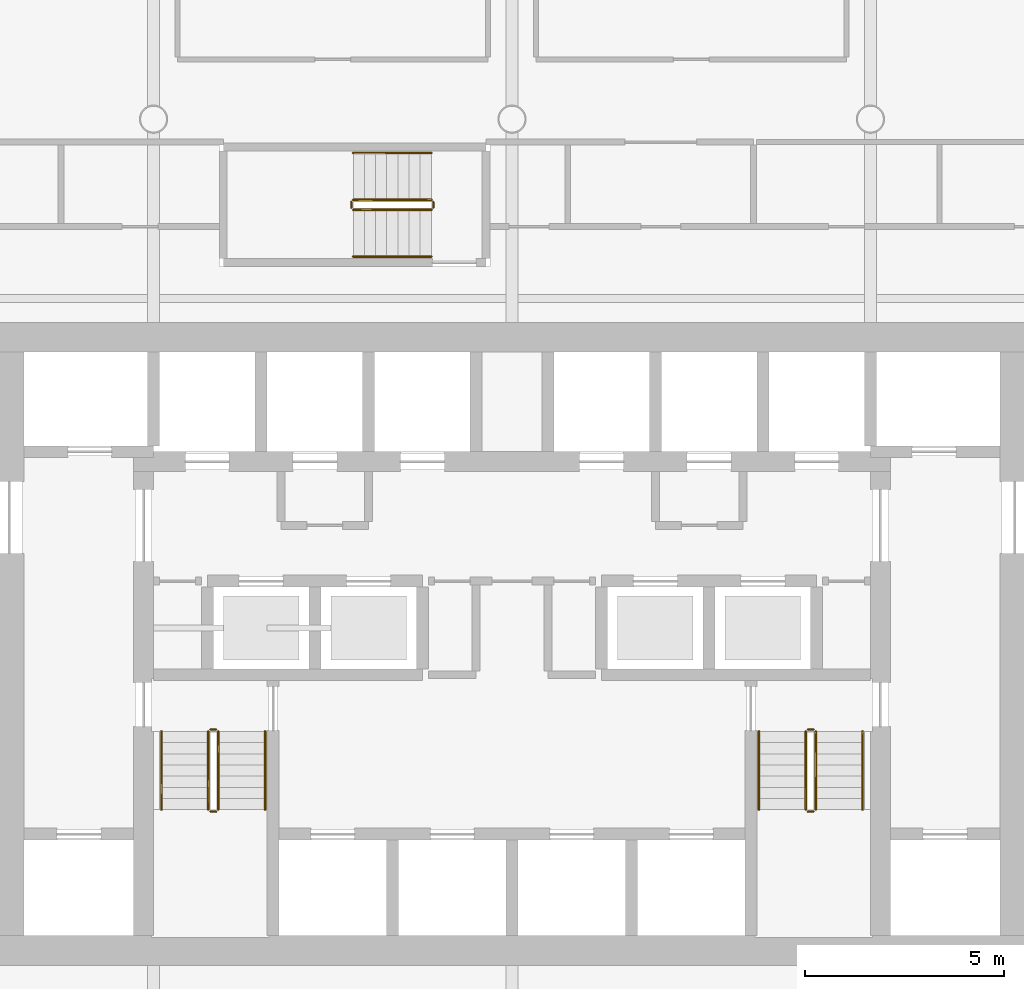
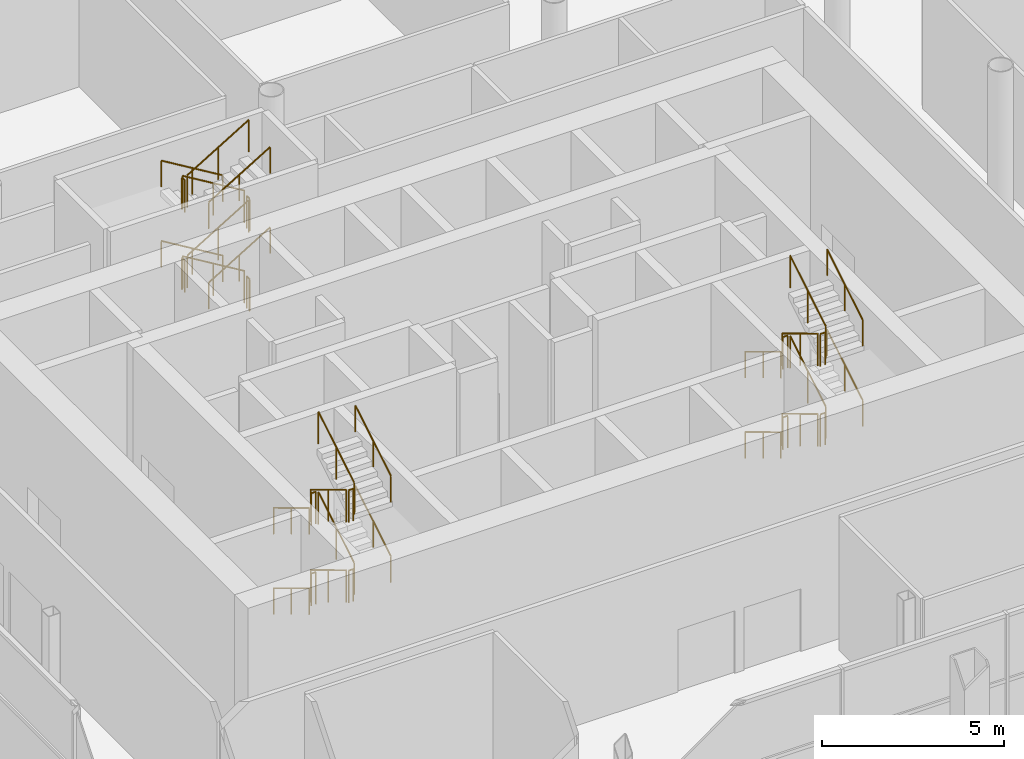
# One storey, part 11 of 12: 36 railings.
"""IFC4 building model written with IfcOpenShell, lengths in metres."""

from ifc_helpers import new_model, si_unit, direction, frame, origin, origin_2d, place, context, subcontext, project, spatial, circle, extrude, material, type_object, element, save


model = new_model("IFC4")

# Units and contexts
model_context = context("Model", 3, precision=1e-05, world=origin(), true_north=direction((0.0, 1.0)))
body_context = subcontext(model_context, "Body", "Model", "MODEL_VIEW")
ifc_project = project(units=[si_unit("LENGTHUNIT", "METRE"), si_unit("AREAUNIT", "SQUARE_METRE"), si_unit("VOLUMEUNIT", "CUBIC_METRE"), si_unit("PLANEANGLEUNIT", "RADIAN"), si_unit("MASSUNIT", "GRAM", prefix="KILO")], contexts=[model_context])

# Site, building, storey
site_placement = place(None, origin())
site = spatial("IfcSite", under=ifc_project, at=site_placement, CompositionType="ELEMENT")
building_placement = place(site_placement, origin())
building = spatial("IfcBuilding", under=site, at=building_placement, Name="Tskaro Facet Tower", CompositionType="ELEMENT")
storey_placement = place(building_placement, frame((0.0, 0.0, 162.300048828125)))
storey = spatial("IfcBuildingStorey", under=building, at=storey_placement, Name="L40", CompositionType="ELEMENT", Elevation=162.300048828125)

# Railings
ifc_material = material(Name="Stainless steel", Category="steel")
railing_type_1 = type_object("IfcRailingType", Name="RL-GUARD-1100", PredefinedType="GUARDRAIL", material=ifc_material)
railing_1_placement = place(storey_placement, frame((-7.625, -6.375, 0.168701171875)))
element("IfcRailing", 1, at=railing_1_placement, inside=storey, type_object=railing_type_1, Name="L40 ST-1 stair guard 1", PredefinedType="GUARDRAIL", context=body_context, shape_type="SweptSolid", body=[
    extrude(circle(Radius=0.02392578125, at=origin_2d()), frame((0.0, 0.0, 1.076171875), z_axis=(0.0, -0.856493463811, 0.516157869696), x_axis=(1.0, 0.0, 0.0)), (0.0, 0.0, 1.0), 2.288330078125),
    extrude(circle(Radius=0.02099609375, at=origin_2d()), origin(), (0.0, 0.0, 1.0), 1.052001953125),
    extrude(circle(Radius=0.02099609375, at=origin_2d()), frame((0.0, -0.97998046875, 0.590576171875)), (0.0, 0.0, 1.0), 1.052001953125),
    extrude(circle(Radius=0.02099609375, at=origin_2d()), frame((0.0, -1.9599609375, 1.18115234375)), (0.0, 0.0, 1.0), 1.052001953125),
])
railing_2_placement = place(storey_placement, frame((-7.574951171875, -8.385009765625, 1.349853515625)))
element("IfcRailing", 2, at=railing_2_placement, inside=storey, type_object=railing_type_1, Name="L40 ST-1 stair guard 2", PredefinedType="GUARDRAIL", context=body_context, shape_type="SweptSolid", body=[
    extrude(circle(Radius=0.02392578125, at=origin_2d()), frame((0.0, 0.0, 1.076171875), z_axis=(1.0, 0.0, 0.0), x_axis=(0.0, 1.0, 0.0)), (0.0, 0.0, 1.0), 0.14990234375),
    extrude(circle(Radius=0.02099609375, at=origin_2d()), origin(), (0.0, 0.0, 1.0), 1.052001953125),
    extrude(circle(Radius=0.02099609375, at=origin_2d()), frame((0.14990234375, 0.0, 0.0)), (0.0, 0.0, 1.0), 1.052001953125),
])
railing_3_placement = place(storey_placement, frame((-7.375, -8.3349609375, 1.518798828125)))
element("IfcRailing", 3, at=railing_3_placement, inside=storey, type_object=railing_type_1, Name="L40 ST-1 stair guard 3", PredefinedType="GUARDRAIL", context=body_context, shape_type="SweptSolid", body=[
    extrude(circle(Radius=0.02392578125, at=origin_2d()), frame((0.0, 0.0, 1.076171875), z_axis=(0.0, 0.856493463811, 0.516157869696), x_axis=(-1.0, 0.0, 0.0)), (0.0, 0.0, 1.0), 2.288330078125),
    extrude(circle(Radius=0.02099609375, at=origin_2d()), origin(), (0.0, 0.0, 1.0), 1.052001953125),
    extrude(circle(Radius=0.02099609375, at=origin_2d()), frame((0.0, 0.97998046875, 0.590576171875)), (0.0, 0.0, 1.0), 1.052001953125),
    extrude(circle(Radius=0.02099609375, at=origin_2d()), frame((0.0, 1.9599609375, 1.18115234375)), (0.0, 0.0, 1.0), 1.052001953125),
])
railing_4_placement = place(storey_placement, frame((-7.574951171875, -6.324951171875, 2.699951171875)))
element("IfcRailing", 4, at=railing_4_placement, inside=storey, type_object=railing_type_1, Name="L40 ST-1 stair guard 4", PredefinedType="GUARDRAIL", context=body_context, shape_type="SweptSolid", body=[
    extrude(circle(Radius=0.02392578125, at=origin_2d()), frame((0.0, 0.0, 1.076171875), z_axis=(1.0, 0.0, 0.0), x_axis=(0.0, 1.0, 0.0)), (0.0, 0.0, 1.0), 0.14990234375),
    extrude(circle(Radius=0.02099609375, at=origin_2d()), origin(), (0.0, 0.0, 1.0), 1.052001953125),
    extrude(circle(Radius=0.02099609375, at=origin_2d()), frame((0.14990234375, 0.0, 0.0)), (0.0, 0.0, 1.0), 1.052001953125),
])
railing_5_placement = place(storey_placement, frame((-7.625, -6.375, 2.86865234375)))
element("IfcRailing", 5, at=railing_5_placement, inside=storey, type_object=railing_type_1, Name="L40 ST-1 stair guard 5", PredefinedType="GUARDRAIL", context=body_context, shape_type="SweptSolid", body=[
    extrude(circle(Radius=0.02392578125, at=origin_2d()), frame((0.0, 0.0, 1.076171875), z_axis=(0.0, -0.856446297458, 0.516236127728), x_axis=(1.0, 0.0, 0.0)), (0.0, 0.0, 1.0), 2.28857421875),
    extrude(circle(Radius=0.02099609375, at=origin_2d()), origin(), (0.0, 0.0, 1.0), 1.052001953125),
    extrude(circle(Radius=0.02099609375, at=origin_2d()), frame((0.0, -0.97998046875, 0.5908203125)), (0.0, 0.0, 1.0), 1.052001953125),
    extrude(circle(Radius=0.02099609375, at=origin_2d()), frame((0.0, -1.9599609375, 1.181396484375)), (0.0, 0.0, 1.0), 1.052001953125),
])
railing_6_placement = place(storey_placement, frame((-7.574951171875, -8.385009765625, 4.050048828125)))
element("IfcRailing", 6, at=railing_6_placement, inside=storey, type_object=railing_type_1, Name="L40 ST-1 stair guard 6", PredefinedType="GUARDRAIL", context=body_context, shape_type="SweptSolid", body=[
    extrude(circle(Radius=0.02392578125, at=origin_2d()), frame((0.0, 0.0, 1.076171875), z_axis=(1.0, 0.0, 0.0), x_axis=(0.0, 1.0, 0.0)), (0.0, 0.0, 1.0), 0.14990234375),
    extrude(circle(Radius=0.02099609375, at=origin_2d()), origin(), (0.0, 0.0, 1.0), 1.052001953125),
    extrude(circle(Radius=0.02099609375, at=origin_2d()), frame((0.14990234375, 0.0, 0.0)), (0.0, 0.0, 1.0), 1.052001953125),
])
railing_7_placement = place(storey_placement, frame((-7.375, -8.3349609375, 4.21875)))
element("IfcRailing", 7, at=railing_7_placement, inside=storey, type_object=railing_type_1, Name="L40 ST-1 stair guard 7", PredefinedType="GUARDRAIL", context=body_context, shape_type="SweptSolid", body=[
    extrude(circle(Radius=0.02392578125, at=origin_2d()), frame((0.0, 0.0, 1.076171875), z_axis=(0.0, 0.856493463811, 0.516157869696), x_axis=(-1.0, 0.0, 0.0)), (0.0, 0.0, 1.0), 2.288330078125),
    extrude(circle(Radius=0.02099609375, at=origin_2d()), origin(), (0.0, 0.0, 1.0), 1.052001953125),
    extrude(circle(Radius=0.02099609375, at=origin_2d()), frame((0.0, 0.97998046875, 0.590576171875)), (0.0, 0.0, 1.0), 1.052001953125),
    extrude(circle(Radius=0.02099609375, at=origin_2d()), frame((0.0, 1.9599609375, 1.18115234375)), (0.0, 0.0, 1.0), 1.052001953125),
])
railing_8_placement = place(storey_placement, frame((-7.574951171875, -6.324951171875, 0.0)))
element("IfcRailing", 8, at=railing_8_placement, inside=storey, type_object=railing_type_1, Name="L40 ST-1 stair guard 8", PredefinedType="GUARDRAIL", context=body_context, shape_type="SweptSolid", body=[
    extrude(circle(Radius=0.02392578125, at=origin_2d()), frame((0.0, 0.0, 1.076171875), z_axis=(1.0, 0.0, 0.0), x_axis=(0.0, 1.0, 0.0)), (0.0, 0.0, 1.0), 0.14990234375),
    extrude(circle(Radius=0.02099609375, at=origin_2d()), origin(), (0.0, 0.0, 1.0), 1.052001953125),
    extrude(circle(Radius=0.02099609375, at=origin_2d()), frame((0.14990234375, 0.0, 0.0)), (0.0, 0.0, 1.0), 1.052001953125),
])
railing_9_placement = place(storey_placement, frame((7.375, -6.375, 0.168701171875)))
element("IfcRailing", 9, at=railing_9_placement, inside=storey, type_object=railing_type_1, Name="L40 ST-2 stair guard 1", PredefinedType="GUARDRAIL", context=body_context, shape_type="SweptSolid", body=[
    extrude(circle(Radius=0.02392578125, at=origin_2d()), frame((0.0, 0.0, 1.076171875), z_axis=(0.0, -0.856493463811, 0.516157869696), x_axis=(1.0, 0.0, 0.0)), (0.0, 0.0, 1.0), 2.288330078125),
    extrude(circle(Radius=0.02099609375, at=origin_2d()), origin(), (0.0, 0.0, 1.0), 1.052001953125),
    extrude(circle(Radius=0.02099609375, at=origin_2d()), frame((0.0, -0.97998046875, 0.590576171875)), (0.0, 0.0, 1.0), 1.052001953125),
    extrude(circle(Radius=0.02099609375, at=origin_2d()), frame((0.0, -1.9599609375, 1.18115234375)), (0.0, 0.0, 1.0), 1.052001953125),
])
railing_10_placement = place(storey_placement, frame((7.425048828125, -8.385009765625, 1.349853515625)))
element("IfcRailing", 10, at=railing_10_placement, inside=storey, type_object=railing_type_1, Name="L40 ST-2 stair guard 2", PredefinedType="GUARDRAIL", context=body_context, shape_type="SweptSolid", body=[
    extrude(circle(Radius=0.02392578125, at=origin_2d()), frame((0.0, 0.0, 1.076171875), z_axis=(1.0, 0.0, 0.0), x_axis=(0.0, 1.0, 0.0)), (0.0, 0.0, 1.0), 0.14990234375),
    extrude(circle(Radius=0.02099609375, at=origin_2d()), origin(), (0.0, 0.0, 1.0), 1.052001953125),
    extrude(circle(Radius=0.02099609375, at=origin_2d()), frame((0.14990234375, 0.0, 0.0)), (0.0, 0.0, 1.0), 1.052001953125),
])
railing_11_placement = place(storey_placement, frame((7.625, -8.3349609375, 1.518798828125)))
element("IfcRailing", 11, at=railing_11_placement, inside=storey, type_object=railing_type_1, Name="L40 ST-2 stair guard 3", PredefinedType="GUARDRAIL", context=body_context, shape_type="SweptSolid", body=[
    extrude(circle(Radius=0.02392578125, at=origin_2d()), frame((0.0, 0.0, 1.076171875), z_axis=(0.0, 0.856493463811, 0.516157869696), x_axis=(-1.0, 0.0, 0.0)), (0.0, 0.0, 1.0), 2.288330078125),
    extrude(circle(Radius=0.02099609375, at=origin_2d()), origin(), (0.0, 0.0, 1.0), 1.052001953125),
    extrude(circle(Radius=0.02099609375, at=origin_2d()), frame((0.0, 0.97998046875, 0.590576171875)), (0.0, 0.0, 1.0), 1.052001953125),
    extrude(circle(Radius=0.02099609375, at=origin_2d()), frame((0.0, 1.9599609375, 1.18115234375)), (0.0, 0.0, 1.0), 1.052001953125),
])
railing_12_placement = place(storey_placement, frame((7.425048828125, -6.324951171875, 2.699951171875)))
element("IfcRailing", 12, at=railing_12_placement, inside=storey, type_object=railing_type_1, Name="L40 ST-2 stair guard 4", PredefinedType="GUARDRAIL", context=body_context, shape_type="SweptSolid", body=[
    extrude(circle(Radius=0.02392578125, at=origin_2d()), frame((0.0, 0.0, 1.076171875), z_axis=(1.0, 0.0, 0.0), x_axis=(0.0, 1.0, 0.0)), (0.0, 0.0, 1.0), 0.14990234375),
    extrude(circle(Radius=0.02099609375, at=origin_2d()), origin(), (0.0, 0.0, 1.0), 1.052001953125),
    extrude(circle(Radius=0.02099609375, at=origin_2d()), frame((0.14990234375, 0.0, 0.0)), (0.0, 0.0, 1.0), 1.052001953125),
])
railing_13_placement = place(storey_placement, frame((7.375, -6.375, 2.86865234375)))
element("IfcRailing", 13, at=railing_13_placement, inside=storey, type_object=railing_type_1, Name="L40 ST-2 stair guard 5", PredefinedType="GUARDRAIL", context=body_context, shape_type="SweptSolid", body=[
    extrude(circle(Radius=0.02392578125, at=origin_2d()), frame((0.0, 0.0, 1.076171875), z_axis=(0.0, -0.856446297458, 0.516236127728), x_axis=(1.0, 0.0, 0.0)), (0.0, 0.0, 1.0), 2.28857421875),
    extrude(circle(Radius=0.02099609375, at=origin_2d()), origin(), (0.0, 0.0, 1.0), 1.052001953125),
    extrude(circle(Radius=0.02099609375, at=origin_2d()), frame((0.0, -0.97998046875, 0.5908203125)), (0.0, 0.0, 1.0), 1.052001953125),
    extrude(circle(Radius=0.02099609375, at=origin_2d()), frame((0.0, -1.9599609375, 1.181396484375)), (0.0, 0.0, 1.0), 1.052001953125),
])
railing_14_placement = place(storey_placement, frame((7.425048828125, -8.385009765625, 4.050048828125)))
element("IfcRailing", 14, at=railing_14_placement, inside=storey, type_object=railing_type_1, Name="L40 ST-2 stair guard 6", PredefinedType="GUARDRAIL", context=body_context, shape_type="SweptSolid", body=[
    extrude(circle(Radius=0.02392578125, at=origin_2d()), frame((0.0, 0.0, 1.076171875), z_axis=(1.0, 0.0, 0.0), x_axis=(0.0, 1.0, 0.0)), (0.0, 0.0, 1.0), 0.14990234375),
    extrude(circle(Radius=0.02099609375, at=origin_2d()), origin(), (0.0, 0.0, 1.0), 1.052001953125),
    extrude(circle(Radius=0.02099609375, at=origin_2d()), frame((0.14990234375, 0.0, 0.0)), (0.0, 0.0, 1.0), 1.052001953125),
])
railing_15_placement = place(storey_placement, frame((7.625, -8.3349609375, 4.21875)))
element("IfcRailing", 15, at=railing_15_placement, inside=storey, type_object=railing_type_1, Name="L40 ST-2 stair guard 7", PredefinedType="GUARDRAIL", context=body_context, shape_type="SweptSolid", body=[
    extrude(circle(Radius=0.02392578125, at=origin_2d()), frame((0.0, 0.0, 1.076171875), z_axis=(0.0, 0.856493463811, 0.516157869696), x_axis=(-1.0, 0.0, 0.0)), (0.0, 0.0, 1.0), 2.288330078125),
    extrude(circle(Radius=0.02099609375, at=origin_2d()), origin(), (0.0, 0.0, 1.0), 1.052001953125),
    extrude(circle(Radius=0.02099609375, at=origin_2d()), frame((0.0, 0.97998046875, 0.590576171875)), (0.0, 0.0, 1.0), 1.052001953125),
    extrude(circle(Radius=0.02099609375, at=origin_2d()), frame((0.0, 1.9599609375, 1.18115234375)), (0.0, 0.0, 1.0), 1.052001953125),
])
railing_16_placement = place(storey_placement, frame((7.425048828125, -6.324951171875, 0.0)))
element("IfcRailing", 16, at=railing_16_placement, inside=storey, type_object=railing_type_1, Name="L40 ST-2 stair guard 8", PredefinedType="GUARDRAIL", context=body_context, shape_type="SweptSolid", body=[
    extrude(circle(Radius=0.02392578125, at=origin_2d()), frame((0.0, 0.0, 1.076171875), z_axis=(1.0, 0.0, 0.0), x_axis=(0.0, 1.0, 0.0)), (0.0, 0.0, 1.0), 0.14990234375),
    extrude(circle(Radius=0.02099609375, at=origin_2d()), origin(), (0.0, 0.0, 1.0), 1.052001953125),
    extrude(circle(Radius=0.02099609375, at=origin_2d()), frame((0.14990234375, 0.0, 0.0)), (0.0, 0.0, 1.0), 1.052001953125),
])
railing_17_placement = place(storey_placement, frame((-2.02490234375, 6.97509765625, 0.168701171875)))
element("IfcRailing", 17, at=railing_17_placement, inside=storey, type_object=railing_type_1, Name="L40 ST-3 stair guard 1", PredefinedType="GUARDRAIL", context=body_context, shape_type="SweptSolid", body=[
    extrude(circle(Radius=0.02392578125, at=origin_2d()), frame((0.0, 0.0, 1.076171875), z_axis=(-0.856521883693, 0.0, 0.516110707847), x_axis=(0.0, -1.0, 0.0)), (0.0, 0.0, 1.0), 2.28857421875),
    extrude(circle(Radius=0.02099609375, at=origin_2d()), origin(), (0.0, 0.0, 1.0), 1.052001953125),
    extrude(circle(Radius=0.02099609375, at=origin_2d()), frame((-0.97998046875, 0.0, 0.590576171875)), (0.0, 0.0, 1.0), 1.052001953125),
    extrude(circle(Radius=0.02099609375, at=origin_2d()), frame((-1.960205078125, 0.0, 1.18115234375)), (0.0, 0.0, 1.0), 1.052001953125),
])
railing_18_placement = place(storey_placement, frame((-4.034912109375, 6.925048828125, 1.349853515625)))
element("IfcRailing", 18, at=railing_18_placement, inside=storey, type_object=railing_type_1, Name="L40 ST-3 stair guard 2", PredefinedType="GUARDRAIL", context=body_context, shape_type="SweptSolid", body=[
    extrude(circle(Radius=0.02392578125, at=origin_2d()), frame((0.0, 0.0, 1.076171875), z_axis=(0.0, -1.0, 0.0), x_axis=(1.0, 0.0, 0.0)), (0.0, 0.0, 1.0), 0.150146484375),
    extrude(circle(Radius=0.02099609375, at=origin_2d()), origin(), (0.0, 0.0, 1.0), 1.052001953125),
    extrude(circle(Radius=0.02099609375, at=origin_2d()), frame((0.0, -0.150146484375, 0.0)), (0.0, 0.0, 1.0), 1.052001953125),
])
railing_19_placement = place(storey_placement, frame((-3.985107421875, 6.72509765625, 1.518798828125)))
element("IfcRailing", 19, at=railing_19_placement, inside=storey, type_object=railing_type_1, Name="L40 ST-3 stair guard 3", PredefinedType="GUARDRAIL", context=body_context, shape_type="SweptSolid", body=[
    extrude(circle(Radius=0.02392578125, at=origin_2d()), frame((0.0, 0.0, 1.076171875), z_axis=(0.856521883693, 0.0, 0.516110707847), x_axis=(0.0, 1.0, 0.0)), (0.0, 0.0, 1.0), 2.28857421875),
    extrude(circle(Radius=0.02099609375, at=origin_2d()), origin(), (0.0, 0.0, 1.0), 1.052001953125),
    extrude(circle(Radius=0.02099609375, at=origin_2d()), frame((0.97998046875, 0.0, 0.590576171875)), (0.0, 0.0, 1.0), 1.052001953125),
    extrude(circle(Radius=0.02099609375, at=origin_2d()), frame((1.960205078125, 0.0, 1.18115234375)), (0.0, 0.0, 1.0), 1.052001953125),
])
railing_20_placement = place(storey_placement, frame((-1.97509765625, 6.925048828125, 2.699951171875)))
element("IfcRailing", 20, at=railing_20_placement, inside=storey, type_object=railing_type_1, Name="L40 ST-3 stair guard 4", PredefinedType="GUARDRAIL", context=body_context, shape_type="SweptSolid", body=[
    extrude(circle(Radius=0.02392578125, at=origin_2d()), frame((0.0, 0.0, 1.076171875), z_axis=(0.0, -1.0, 0.0), x_axis=(1.0, 0.0, 0.0)), (0.0, 0.0, 1.0), 0.150146484375),
    extrude(circle(Radius=0.02099609375, at=origin_2d()), origin(), (0.0, 0.0, 1.0), 1.052001953125),
    extrude(circle(Radius=0.02099609375, at=origin_2d()), frame((0.0, -0.150146484375, 0.0)), (0.0, 0.0, 1.0), 1.052001953125),
])
railing_21_placement = place(storey_placement, frame((-2.02490234375, 6.97509765625, 2.86865234375)))
element("IfcRailing", 21, at=railing_21_placement, inside=storey, type_object=railing_type_1, Name="L40 ST-3 stair guard 5", PredefinedType="GUARDRAIL", context=body_context, shape_type="SweptSolid", body=[
    extrude(circle(Radius=0.02392578125, at=origin_2d()), frame((0.0, 0.0, 1.076171875), z_axis=(-0.856474724393, 0.0, 0.516188963923), x_axis=(0.0, -1.0, 0.0)), (0.0, 0.0, 1.0), 2.28857421875),
    extrude(circle(Radius=0.02099609375, at=origin_2d()), origin(), (0.0, 0.0, 1.0), 1.052001953125),
    extrude(circle(Radius=0.02099609375, at=origin_2d()), frame((-0.97998046875, 0.0, 0.5908203125)), (0.0, 0.0, 1.0), 1.052001953125),
    extrude(circle(Radius=0.02099609375, at=origin_2d()), frame((-1.960205078125, 0.0, 1.181396484375)), (0.0, 0.0, 1.0), 1.052001953125),
])
railing_22_placement = place(storey_placement, frame((-4.034912109375, 6.925048828125, 4.050048828125)))
element("IfcRailing", 22, at=railing_22_placement, inside=storey, type_object=railing_type_1, Name="L40 ST-3 stair guard 6", PredefinedType="GUARDRAIL", context=body_context, shape_type="SweptSolid", body=[
    extrude(circle(Radius=0.02392578125, at=origin_2d()), frame((0.0, 0.0, 1.076171875), z_axis=(0.0, -1.0, 0.0), x_axis=(1.0, 0.0, 0.0)), (0.0, 0.0, 1.0), 0.150146484375),
    extrude(circle(Radius=0.02099609375, at=origin_2d()), origin(), (0.0, 0.0, 1.0), 1.052001953125),
    extrude(circle(Radius=0.02099609375, at=origin_2d()), frame((0.0, -0.150146484375, 0.0)), (0.0, 0.0, 1.0), 1.052001953125),
])
railing_23_placement = place(storey_placement, frame((-3.985107421875, 6.72509765625, 4.21875)))
element("IfcRailing", 23, at=railing_23_placement, inside=storey, type_object=railing_type_1, Name="L40 ST-3 stair guard 7", PredefinedType="GUARDRAIL", context=body_context, shape_type="SweptSolid", body=[
    extrude(circle(Radius=0.02392578125, at=origin_2d()), frame((0.0, 0.0, 1.076171875), z_axis=(0.856521883693, 0.0, 0.516110707847), x_axis=(0.0, 1.0, 0.0)), (0.0, 0.0, 1.0), 2.28857421875),
    extrude(circle(Radius=0.02099609375, at=origin_2d()), origin(), (0.0, 0.0, 1.0), 1.052001953125),
    extrude(circle(Radius=0.02099609375, at=origin_2d()), frame((0.97998046875, 0.0, 0.590576171875)), (0.0, 0.0, 1.0), 1.052001953125),
    extrude(circle(Radius=0.02099609375, at=origin_2d()), frame((1.960205078125, 0.0, 1.18115234375)), (0.0, 0.0, 1.0), 1.052001953125),
])
railing_24_placement = place(storey_placement, frame((-1.97509765625, 6.925048828125, 0.0)))
element("IfcRailing", 24, at=railing_24_placement, inside=storey, type_object=railing_type_1, Name="L40 ST-3 stair guard 8", PredefinedType="GUARDRAIL", context=body_context, shape_type="SweptSolid", body=[
    extrude(circle(Radius=0.02392578125, at=origin_2d()), frame((0.0, 0.0, 1.076171875), z_axis=(0.0, -1.0, 0.0), x_axis=(1.0, 0.0, 0.0)), (0.0, 0.0, 1.0), 0.150146484375),
    extrude(circle(Radius=0.02099609375, at=origin_2d()), origin(), (0.0, 0.0, 1.0), 1.052001953125),
    extrude(circle(Radius=0.02099609375, at=origin_2d()), frame((0.0, -0.150146484375, 0.0)), (0.0, 0.0, 1.0), 1.052001953125),
])
railing_type_2 = type_object("IfcRailingType", Name="RL-HANDRAIL-900", PredefinedType="HANDRAIL", material=ifc_material)
railing_25_placement = place(storey_placement, frame((-8.800048828125, -6.375, 0.168701171875)))
element("IfcRailing", 25, at=railing_25_placement, inside=storey, type_object=railing_type_2, Name="L40 ST-1 stair handrail 1", PredefinedType="HANDRAIL", context=body_context, shape_type="SweptSolid", body=[
    extrude(circle(Radius=0.02392578125, at=origin_2d()), frame((0.0, 0.0, 0.8759765625), z_axis=(0.0, -0.856493463811, 0.516157869696), x_axis=(1.0, 0.0, 0.0)), (0.0, 0.0, 1.0), 2.288330078125),
    extrude(circle(Radius=0.02099609375, at=origin_2d()), origin(), (0.0, 0.0, 1.0), 0.851806640625),
    extrude(circle(Radius=0.02099609375, at=origin_2d()), frame((0.0, -0.97998046875, 0.590576171875)), (0.0, 0.0, 1.0), 0.851806640625),
    extrude(circle(Radius=0.02099609375, at=origin_2d()), frame((0.0, -1.9599609375, 1.18115234375)), (0.0, 0.0, 1.0), 0.851806640625),
])
railing_26_placement = place(storey_placement, frame((-6.199951171875, -8.3349609375, 1.518798828125)))
element("IfcRailing", 26, at=railing_26_placement, inside=storey, type_object=railing_type_2, Name="L40 ST-1 stair handrail 2", PredefinedType="HANDRAIL", context=body_context, shape_type="SweptSolid", body=[
    extrude(circle(Radius=0.02392578125, at=origin_2d()), frame((0.0, 0.0, 0.8759765625), z_axis=(0.0, 0.856493463811, 0.516157869696), x_axis=(-1.0, 0.0, 0.0)), (0.0, 0.0, 1.0), 2.288330078125),
    extrude(circle(Radius=0.02099609375, at=origin_2d()), origin(), (0.0, 0.0, 1.0), 0.851806640625),
    extrude(circle(Radius=0.02099609375, at=origin_2d()), frame((0.0, 0.97998046875, 0.590576171875)), (0.0, 0.0, 1.0), 0.851806640625),
    extrude(circle(Radius=0.02099609375, at=origin_2d()), frame((0.0, 1.9599609375, 1.18115234375)), (0.0, 0.0, 1.0), 0.851806640625),
])
railing_27_placement = place(storey_placement, frame((-8.800048828125, -6.375, 2.86865234375)))
element("IfcRailing", 27, at=railing_27_placement, inside=storey, type_object=railing_type_2, Name="L40 ST-1 stair handrail 3", PredefinedType="HANDRAIL", context=body_context, shape_type="SweptSolid", body=[
    extrude(circle(Radius=0.02392578125, at=origin_2d()), frame((0.0, 0.0, 0.8759765625), z_axis=(0.0, -0.856446297458, 0.516236127728), x_axis=(1.0, 0.0, 0.0)), (0.0, 0.0, 1.0), 2.28857421875),
    extrude(circle(Radius=0.02099609375, at=origin_2d()), origin(), (0.0, 0.0, 1.0), 0.851806640625),
    extrude(circle(Radius=0.02099609375, at=origin_2d()), frame((0.0, -0.97998046875, 0.5908203125)), (0.0, 0.0, 1.0), 0.851806640625),
    extrude(circle(Radius=0.02099609375, at=origin_2d()), frame((0.0, -1.9599609375, 1.181396484375)), (0.0, 0.0, 1.0), 0.851806640625),
])
railing_28_placement = place(storey_placement, frame((-6.199951171875, -8.3349609375, 4.21875)))
element("IfcRailing", 28, at=railing_28_placement, inside=storey, type_object=railing_type_2, Name="L40 ST-1 stair handrail 4", PredefinedType="HANDRAIL", context=body_context, shape_type="SweptSolid", body=[
    extrude(circle(Radius=0.02392578125, at=origin_2d()), frame((0.0, 0.0, 0.8759765625), z_axis=(0.0, 0.856493463811, 0.516157869696), x_axis=(-1.0, 0.0, 0.0)), (0.0, 0.0, 1.0), 2.288330078125),
    extrude(circle(Radius=0.02099609375, at=origin_2d()), origin(), (0.0, 0.0, 1.0), 0.851806640625),
    extrude(circle(Radius=0.02099609375, at=origin_2d()), frame((0.0, 0.97998046875, 0.590576171875)), (0.0, 0.0, 1.0), 0.851806640625),
    extrude(circle(Radius=0.02099609375, at=origin_2d()), frame((0.0, 1.9599609375, 1.18115234375)), (0.0, 0.0, 1.0), 0.851806640625),
])
railing_29_placement = place(storey_placement, frame((6.199951171875, -6.375, 0.168701171875)))
element("IfcRailing", 29, at=railing_29_placement, inside=storey, type_object=railing_type_2, Name="L40 ST-2 stair handrail 1", PredefinedType="HANDRAIL", context=body_context, shape_type="SweptSolid", body=[
    extrude(circle(Radius=0.02392578125, at=origin_2d()), frame((0.0, 0.0, 0.8759765625), z_axis=(0.0, -0.856493463811, 0.516157869696), x_axis=(1.0, 0.0, 0.0)), (0.0, 0.0, 1.0), 2.288330078125),
    extrude(circle(Radius=0.02099609375, at=origin_2d()), origin(), (0.0, 0.0, 1.0), 0.851806640625),
    extrude(circle(Radius=0.02099609375, at=origin_2d()), frame((0.0, -0.97998046875, 0.590576171875)), (0.0, 0.0, 1.0), 0.851806640625),
    extrude(circle(Radius=0.02099609375, at=origin_2d()), frame((0.0, -1.9599609375, 1.18115234375)), (0.0, 0.0, 1.0), 0.851806640625),
])
railing_30_placement = place(storey_placement, frame((8.800048828125, -8.3349609375, 1.518798828125)))
element("IfcRailing", 30, at=railing_30_placement, inside=storey, type_object=railing_type_2, Name="L40 ST-2 stair handrail 2", PredefinedType="HANDRAIL", context=body_context, shape_type="SweptSolid", body=[
    extrude(circle(Radius=0.02392578125, at=origin_2d()), frame((0.0, 0.0, 0.8759765625), z_axis=(0.0, 0.856493463811, 0.516157869696), x_axis=(-1.0, 0.0, 0.0)), (0.0, 0.0, 1.0), 2.288330078125),
    extrude(circle(Radius=0.02099609375, at=origin_2d()), origin(), (0.0, 0.0, 1.0), 0.851806640625),
    extrude(circle(Radius=0.02099609375, at=origin_2d()), frame((0.0, 0.97998046875, 0.590576171875)), (0.0, 0.0, 1.0), 0.851806640625),
    extrude(circle(Radius=0.02099609375, at=origin_2d()), frame((0.0, 1.9599609375, 1.18115234375)), (0.0, 0.0, 1.0), 0.851806640625),
])
railing_31_placement = place(storey_placement, frame((6.199951171875, -6.375, 2.86865234375)))
element("IfcRailing", 31, at=railing_31_placement, inside=storey, type_object=railing_type_2, Name="L40 ST-2 stair handrail 3", PredefinedType="HANDRAIL", context=body_context, shape_type="SweptSolid", body=[
    extrude(circle(Radius=0.02392578125, at=origin_2d()), frame((0.0, 0.0, 0.8759765625), z_axis=(0.0, -0.856446297458, 0.516236127728), x_axis=(1.0, 0.0, 0.0)), (0.0, 0.0, 1.0), 2.28857421875),
    extrude(circle(Radius=0.02099609375, at=origin_2d()), origin(), (0.0, 0.0, 1.0), 0.851806640625),
    extrude(circle(Radius=0.02099609375, at=origin_2d()), frame((0.0, -0.97998046875, 0.5908203125)), (0.0, 0.0, 1.0), 0.851806640625),
    extrude(circle(Radius=0.02099609375, at=origin_2d()), frame((0.0, -1.9599609375, 1.181396484375)), (0.0, 0.0, 1.0), 0.851806640625),
])
railing_32_placement = place(storey_placement, frame((8.800048828125, -8.3349609375, 4.21875)))
element("IfcRailing", 32, at=railing_32_placement, inside=storey, type_object=railing_type_2, Name="L40 ST-2 stair handrail 4", PredefinedType="HANDRAIL", context=body_context, shape_type="SweptSolid", body=[
    extrude(circle(Radius=0.02392578125, at=origin_2d()), frame((0.0, 0.0, 0.8759765625), z_axis=(0.0, 0.856493463811, 0.516157869696), x_axis=(-1.0, 0.0, 0.0)), (0.0, 0.0, 1.0), 2.288330078125),
    extrude(circle(Radius=0.02099609375, at=origin_2d()), origin(), (0.0, 0.0, 1.0), 0.851806640625),
    extrude(circle(Radius=0.02099609375, at=origin_2d()), frame((0.0, 0.97998046875, 0.590576171875)), (0.0, 0.0, 1.0), 0.851806640625),
    extrude(circle(Radius=0.02099609375, at=origin_2d()), frame((0.0, 1.9599609375, 1.18115234375)), (0.0, 0.0, 1.0), 0.851806640625),
])
railing_33_placement = place(storey_placement, frame((-2.02490234375, 8.14990234375, 0.168701171875)))
element("IfcRailing", 33, at=railing_33_placement, inside=storey, type_object=railing_type_2, Name="L40 ST-3 stair handrail 1", PredefinedType="HANDRAIL", context=body_context, shape_type="SweptSolid", body=[
    extrude(circle(Radius=0.02392578125, at=origin_2d()), frame((0.0, 0.0, 0.8759765625), z_axis=(-0.856521883693, 0.0, 0.516110707847), x_axis=(0.0, -1.0, 0.0)), (0.0, 0.0, 1.0), 2.28857421875),
    extrude(circle(Radius=0.02099609375, at=origin_2d()), origin(), (0.0, 0.0, 1.0), 0.851806640625),
    extrude(circle(Radius=0.02099609375, at=origin_2d()), frame((-0.97998046875, 0.0, 0.590576171875)), (0.0, 0.0, 1.0), 0.851806640625),
    extrude(circle(Radius=0.02099609375, at=origin_2d()), frame((-1.960205078125, 0.0, 1.18115234375)), (0.0, 0.0, 1.0), 0.851806640625),
])
railing_34_placement = place(storey_placement, frame((-3.985107421875, 5.550048828125, 1.518798828125)))
element("IfcRailing", 34, at=railing_34_placement, inside=storey, type_object=railing_type_2, Name="L40 ST-3 stair handrail 2", PredefinedType="HANDRAIL", context=body_context, shape_type="SweptSolid", body=[
    extrude(circle(Radius=0.02392578125, at=origin_2d()), frame((0.0, 0.0, 0.8759765625), z_axis=(0.856521883693, 0.0, 0.516110707847), x_axis=(0.0, 1.0, 0.0)), (0.0, 0.0, 1.0), 2.28857421875),
    extrude(circle(Radius=0.02099609375, at=origin_2d()), origin(), (0.0, 0.0, 1.0), 0.851806640625),
    extrude(circle(Radius=0.02099609375, at=origin_2d()), frame((0.97998046875, 0.0, 0.590576171875)), (0.0, 0.0, 1.0), 0.851806640625),
    extrude(circle(Radius=0.02099609375, at=origin_2d()), frame((1.960205078125, 0.0, 1.18115234375)), (0.0, 0.0, 1.0), 0.851806640625),
])
railing_35_placement = place(storey_placement, frame((-2.02490234375, 8.14990234375, 2.86865234375)))
element("IfcRailing", 35, at=railing_35_placement, inside=storey, type_object=railing_type_2, Name="L40 ST-3 stair handrail 3", PredefinedType="HANDRAIL", context=body_context, shape_type="SweptSolid", body=[
    extrude(circle(Radius=0.02392578125, at=origin_2d()), frame((0.0, 0.0, 0.8759765625), z_axis=(-0.856474724393, 0.0, 0.516188963923), x_axis=(0.0, -1.0, 0.0)), (0.0, 0.0, 1.0), 2.28857421875),
    extrude(circle(Radius=0.02099609375, at=origin_2d()), origin(), (0.0, 0.0, 1.0), 0.851806640625),
    extrude(circle(Radius=0.02099609375, at=origin_2d()), frame((-0.97998046875, 0.0, 0.5908203125)), (0.0, 0.0, 1.0), 0.851806640625),
    extrude(circle(Radius=0.02099609375, at=origin_2d()), frame((-1.960205078125, 0.0, 1.181396484375)), (0.0, 0.0, 1.0), 0.851806640625),
])
railing_36_placement = place(storey_placement, frame((-3.985107421875, 5.550048828125, 4.21875)))
element("IfcRailing", 36, at=railing_36_placement, inside=storey, type_object=railing_type_2, Name="L40 ST-3 stair handrail 4", PredefinedType="HANDRAIL", context=body_context, shape_type="SweptSolid", body=[
    extrude(circle(Radius=0.02392578125, at=origin_2d()), frame((0.0, 0.0, 0.8759765625), z_axis=(0.856521883693, 0.0, 0.516110707847), x_axis=(0.0, 1.0, 0.0)), (0.0, 0.0, 1.0), 2.28857421875),
    extrude(circle(Radius=0.02099609375, at=origin_2d()), origin(), (0.0, 0.0, 1.0), 0.851806640625),
    extrude(circle(Radius=0.02099609375, at=origin_2d()), frame((0.97998046875, 0.0, 0.590576171875)), (0.0, 0.0, 1.0), 0.851806640625),
    extrude(circle(Radius=0.02099609375, at=origin_2d()), frame((1.960205078125, 0.0, 1.18115234375)), (0.0, 0.0, 1.0), 0.851806640625),
])

save(model, "model.ifc")
